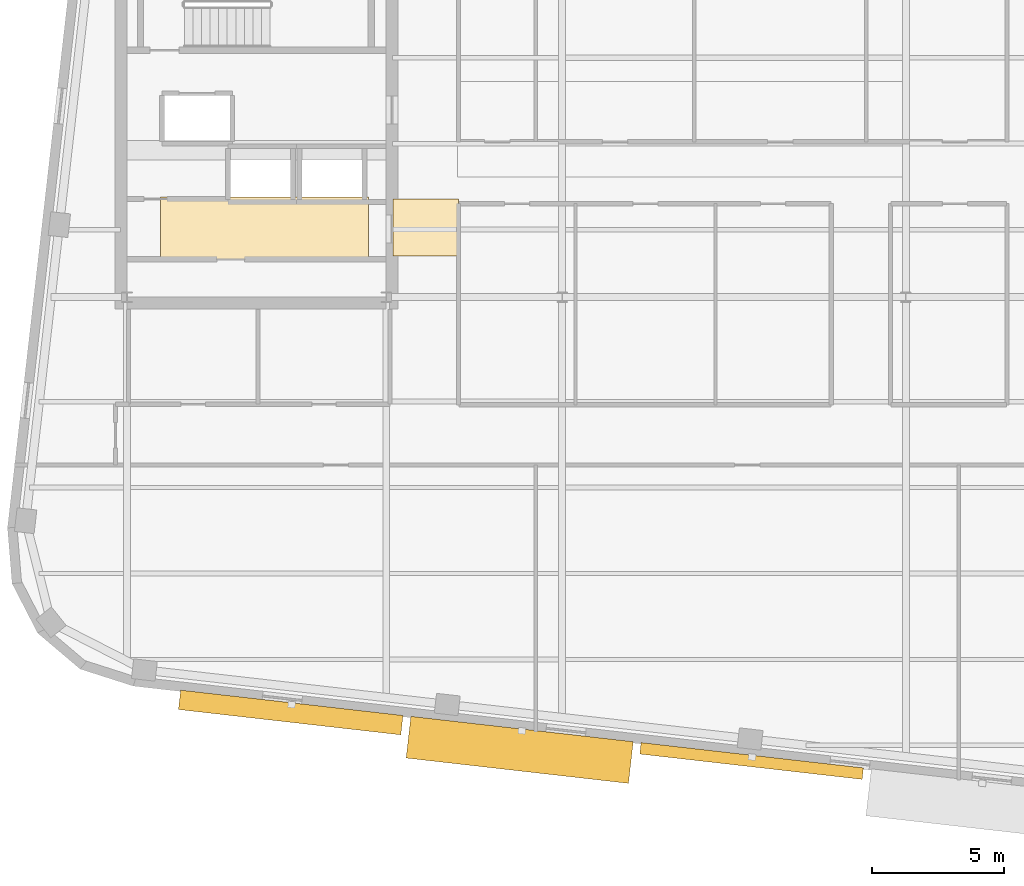
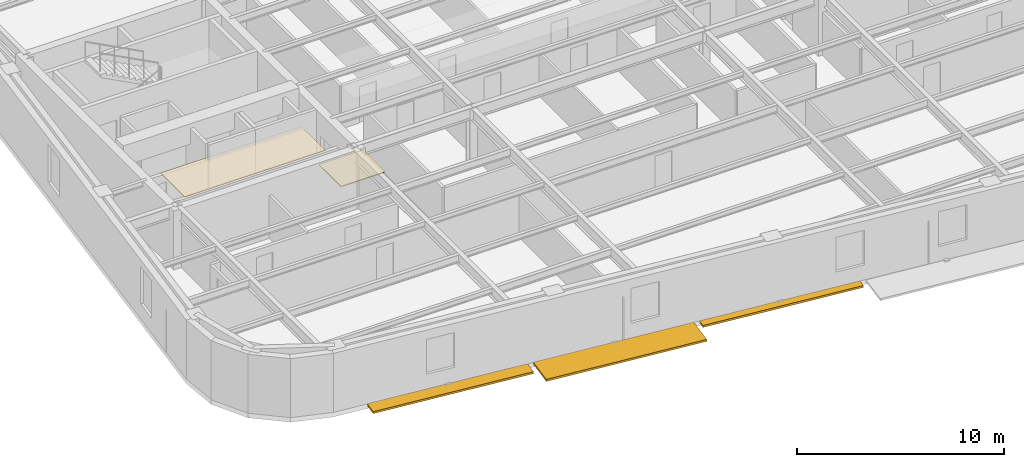
# One storey, part 10 of 13: 3 shading devices, 2 coverings.
"""IFC4 building model written with IfcOpenShell, lengths in metres."""

from ifc_helpers import new_model, si_unit, direction, frame, origin, origin_2d, place, context, subcontext, project, spatial, polyline, rectangle, outline, extrude, material, layer, layer_set, type_object, element, save


model = new_model("IFC4")

# Units and contexts
model_context = context("Model", 3, precision=1e-05, world=origin(), true_north=direction((0.0, 1.0)))
body_context = subcontext(model_context, "Body", "Model", "MODEL_VIEW")
ifc_project = project(units=[si_unit("LENGTHUNIT", "METRE"), si_unit("AREAUNIT", "SQUARE_METRE"), si_unit("VOLUMEUNIT", "CUBIC_METRE"), si_unit("PLANEANGLEUNIT", "RADIAN"), si_unit("MASSUNIT", "GRAM", prefix="KILO")], contexts=[model_context])

# Site, building, storey
site_placement = place(None, origin())
site = spatial("IfcSite", under=ifc_project, at=site_placement, CompositionType="ELEMENT")
building_placement = place(site_placement, origin())
building = spatial("IfcBuilding", under=site, at=building_placement, Name="Kolvaren Arena Tower", CompositionType="ELEMENT")
storey_placement = place(building_placement, frame((0.0, 0.0, 243.449951171875)))
storey = spatial("IfcBuildingStorey", under=building, at=storey_placement, Name="L59", CompositionType="ELEMENT", Elevation=243.449951171875)

# Coverings
ifc_material_1 = material(Name="Moisture-resistant gypsum ceiling", Category="gypsum")
ifc_layer_1 = layer(ifc_material_1, 0.030029296875)
ifc_layer_set_1 = layer_set([ifc_layer_1], Name="Moisture-resistant gypsum ceiling")
covering_type_1 = type_object("IfcCoveringType", Name="CEIL-GYP-1", PredefinedType="CEILING", material=ifc_layer_set_1)
covering_1_placement = place(storey_placement, frame((0.0, 0.0, 2.52001953125)))
element("IfcCovering", 1, at=covering_1_placement, inside=storey, type_object=covering_type_1, Name="Suspended Ceiling (L59)", PredefinedType="CEILING", context=body_context, shape_type="SweptSolid", body=[
    extrude(outline(polyline([(15.820068359375, 20.89990234375), (15.820068359375, 23.239990234375), (23.679931640625, 23.239990234375), (23.679931640625, 20.89990234375), (15.820068359375, 20.89990234375)])), origin(), (0.0, 0.0, 1.0), 0.030029296875),
])
ifc_material_2 = material(Name="Raised access office floor finish", Category="aluminium")
ifc_layer_2 = layer(ifc_material_2, 0.044921875)
ifc_layer_set_2 = layer_set([ifc_layer_2], Name="Raised access office floor finish")
covering_type_2 = type_object("IfcCoveringType", Name="FLOR-RAF-1", PredefinedType="FLOORING", material=ifc_layer_set_2)
covering_2_placement = place(storey_placement, origin())
element("IfcCovering", 2, at=covering_2_placement, inside=storey, type_object=covering_type_2, Name="Floor Finish (L59)", PredefinedType="FLOORING", context=body_context, shape_type="SweptSolid", body=[
    extrude(outline(polyline([(24.60009765625, 21.0), (24.60009765625, 23.14990234375), (27.080078125, 23.14990234375), (27.080078125, 21.0), (24.60009765625, 21.0)])), origin(), (0.0, 0.0, 1.0), 0.045166015625),
])

# Shading devices
ifc_material_3 = material(Name="Architectural precast GFRC and anodised aluminium sunshade", Category="concrete")
shading_device_type_1 = type_object("IfcShadingDeviceType", Name="SHAD-SINE-A", PredefinedType="USERDEFINED", material=ifc_material_3)
shading_device_1_placement = place(storey_placement, frame((38.166015625, 1.911865234375, -0.139892578125), z_axis=(0.0, 0.0, 1.0), x_axis=(-0.993571658098, 0.113204947878, 0.0)))
element("IfcShadingDevice", 3, at=shading_device_1_placement, inside=storey, type_object=shading_device_type_1, Name="Sinusoidal Slab-Edge Sunshade Louvre (L59)", ObjectType="LOUVRE", PredefinedType="USERDEFINED", context=body_context, shape_type="SweptSolid", body=[
    extrude(rectangle(XDim=8.4599609375, YDim=0.435546875, at=origin_2d()), origin(), (0.0, 0.0, 1.0), 0.1201171875),
])
shading_device_2_placement = place(storey_placement, frame((20.741455078125, 3.744873046875, -0.139892578125), z_axis=(0.0, 0.0, 1.0), x_axis=(-0.993571658098, 0.113204947878, 0.0)))
element("IfcShadingDevice", 4, at=shading_device_2_placement, inside=storey, type_object=shading_device_type_1, Name="Sinusoidal Slab-Edge Sunshade Louvre (L59)", ObjectType="LOUVRE", PredefinedType="USERDEFINED", context=body_context, shape_type="SweptSolid", body=[
    extrude(rectangle(XDim=8.4599609375, YDim=0.73828125, at=origin_2d()), origin(), (0.0, 0.0, 1.0), 0.1201171875),
])
shading_device_type_2 = type_object("IfcShadingDeviceType", Name="SHAD-SINE-B", PredefinedType="JALOUSIE", material=ifc_material_3)
shading_device_3_placement = place(storey_placement, frame((29.397216796875, 2.332275390625, -0.139892578125), z_axis=(0.0, 0.0, 1.0), x_axis=(-0.993571658098, 0.113204947878, 0.0)))
element("IfcShadingDevice", 5, at=shading_device_3_placement, inside=storey, type_object=shading_device_type_2, Name="Sinusoidal Slab-Edge Sunshade Louvre (L59)", PredefinedType="JALOUSIE", context=body_context, shape_type="SweptSolid", body=[
    extrude(rectangle(XDim=8.4599609375, YDim=1.585693359375, at=origin_2d()), origin(), (0.0, 0.0, 1.0), 0.1201171875),
])

save(model, "model.ifc")
